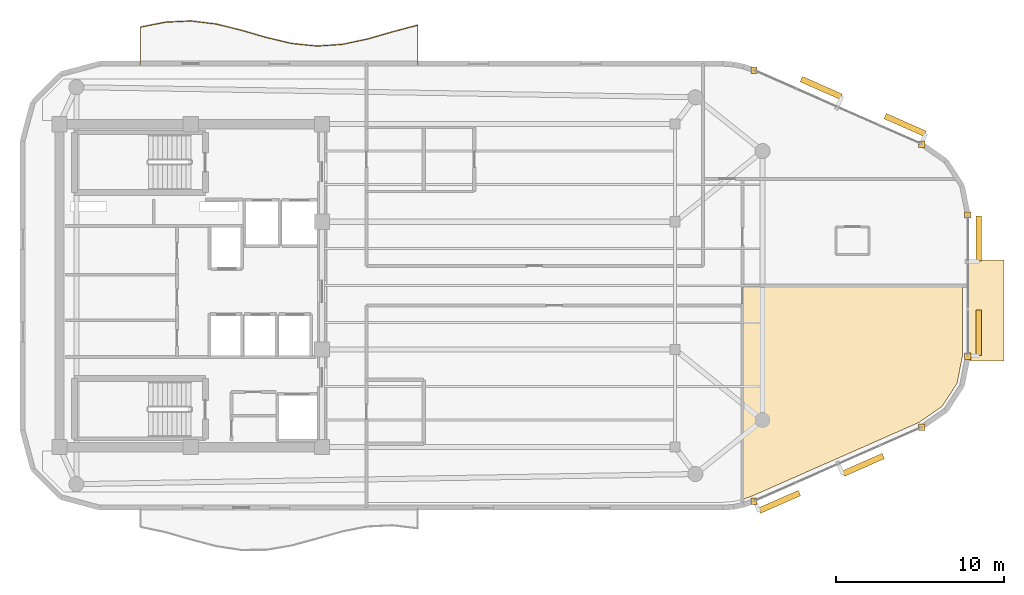
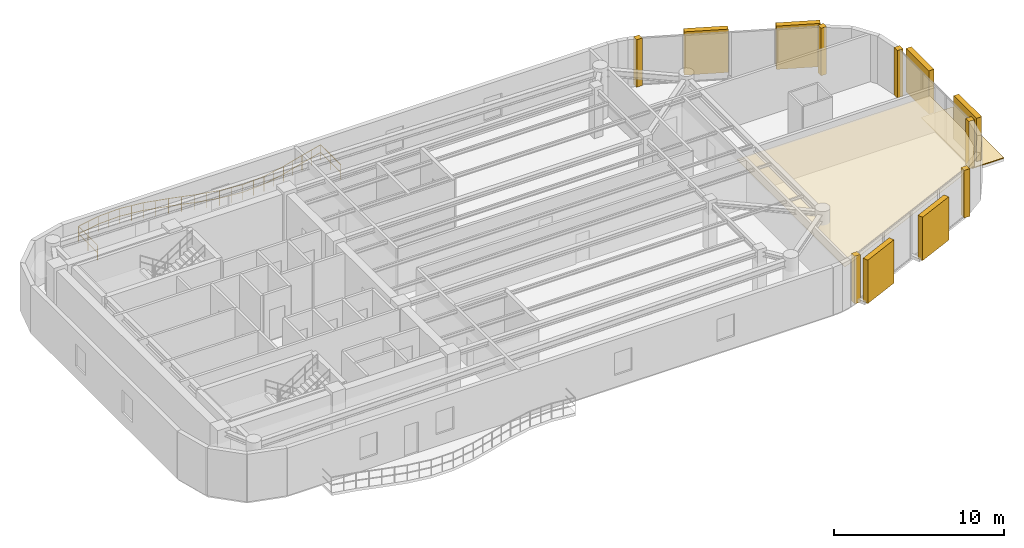
# One storey, part 12 of 12: 8 coverings, 6 shading devices, 1 railing.
"""IFC4 building model written with IfcOpenShell, lengths in metres."""

from ifc_helpers import new_model, si_unit, direction, frame, origin, origin_2d, place, context, subcontext, project, spatial, polyline, rectangle, circle, outline, extrude, material, layer, layer_set, type_object, element, save


model = new_model("IFC4")

# Units and contexts
model_context = context("Model", 3, precision=1e-05, world=origin(), true_north=direction((0.0, 1.0)))
body_context = subcontext(model_context, "Body", "Model", "MODEL_VIEW")
ifc_project = project(units=[si_unit("LENGTHUNIT", "METRE"), si_unit("AREAUNIT", "SQUARE_METRE"), si_unit("VOLUMEUNIT", "CUBIC_METRE"), si_unit("PLANEANGLEUNIT", "RADIAN"), si_unit("MASSUNIT", "GRAM", prefix="KILO")], contexts=[model_context])

# Site, building, storey
site_placement = place(None, origin())
site = spatial("IfcSite", under=ifc_project, at=site_placement, CompositionType="ELEMENT")
building_placement = place(site_placement, origin())
building = spatial("IfcBuilding", under=site, at=building_placement, Name="An Khanh Terracotta Commons", CompositionType="ELEMENT")
storey_placement = place(building_placement, frame((0.0, 0.0, 291.64990234375)))
storey = spatial("IfcBuildingStorey", under=building, at=storey_placement, Name="L76", CompositionType="ELEMENT", Elevation=291.64990234375)

# Coverings
ifc_material_1 = material(Name="Perforated Mineral-Fibre Acoustic Tile")
ifc_layer_1 = layer(ifc_material_1, 0.02001953125, Name="Perforated Mineral-Fibre Acoustic Tile")
ifc_layer_set_1 = layer_set([ifc_layer_1], Name="Perforated Mineral-Fibre Acoustic Tile")
covering_type_1 = type_object("IfcCoveringType", Name="CEIL-ACOUSTIC-18", PredefinedType="CEILING", material=ifc_layer_set_1)
covering_1_placement = place(storey_placement, frame((0.0, 0.0, 2.650146484375)))
element("IfcCovering", 1, at=covering_1_placement, inside=storey, type_object=covering_type_1, Name="L76 Academic Seminar Room Ceiling", PredefinedType="CEILING", context=body_context, shape_type="SweptSolid", body=[
    extrude(outline(polyline([(75.280029296875, 19.8291015625), (74.9609375, 18.19189453125), (74.068115234375, 16.822021484375), (72.699951171875, 15.8701171875), (62.76806640625, 11.488037109375), (62.199951171875, 11.283935546875), (62.199951171875, 11.282958984375), (62.199951171875, 22.820068359375), (62.199951171875, 24.0), (75.280029296875, 24.0), (75.280029296875, 19.8291015625)])), origin(), (0.0, 0.0, 1.0), 0.02001953125),
])
ifc_material_2 = material(Name="Fired Terracotta Rainscreen Cladding", Category="masonry")
ifc_layer_2 = layer(ifc_material_2, 0.080078125, Name="Fired Terracotta Rainscreen Cladding")
ifc_layer_set_2 = layer_set([ifc_layer_2], Name="Fired Terracotta Rainscreen Cladding")
covering_type_2 = type_object("IfcCoveringType", Name="COV-JAMB-TERRA", PredefinedType="CLADDING", material=ifc_layer_set_2)
for number, where, z_axis, x_axis, name in (
    (2, (62.886962890625, 11.19091796875, 0.0), (0.0, 0.0, 1.0), (1.0, 0.0, 0.0), "L76 CW-03 Curtain-Wall Jamb Closure JA"),
    (3, (72.85693359375, 15.590087890625, 0.0), (0.0, 0.0, 1.0), (1.0, 0.0, 0.0), "L76 CW-03 Curtain-Wall Jamb Closure JB"),
    (4, (75.60009765625, 19.798095703125, 0.0), (0.0, 0.0, 1.0), (1.0, 0.0, 0.0), "L76 CW-03 Curtain-Wall Jamb Closure JA"),
    (5, (75.60009765625, 28.201904296875, 0.0), (0.0, 0.0, 1.0), (1.0, 0.0, 0.0), "L76 CW-03 Curtain-Wall Jamb Closure JB"),
    (6, (72.85693359375, 32.409912109375, 0.0), (0.0, 0.0, 1.0), (1.0, 0.0, 0.0), "L76 CW-03 Curtain-Wall Jamb Closure JA"),
    (7, (62.886962890625, 36.80908203125, 0.0), (0.0, 0.0, 1.0), (1.0, 0.0, 0.0), "L76 CW-03 Curtain-Wall Jamb Closure JB"),
):
    element("IfcCovering", number, at=place(storey_placement, frame(where, z_axis=z_axis, x_axis=x_axis)), inside=storey, type_object=covering_type_2, Name=name, PredefinedType="CLADDING", context=body_context, shape_type="SweptSolid", body=[
        extrude(rectangle(XDim=0.3798828125, YDim=0.3798828125, at=origin_2d()), origin(), (0.0, 0.0, 1.0), 3.409912109375),
    ])
ifc_material_3 = material(Name="Planted Garden Waterproofing Membrane")
ifc_layer_3 = layer(ifc_material_3, 0.080078125, Name="Planted Garden Waterproofing Membrane")
ifc_layer_set_3 = layer_set([ifc_layer_3], Name="Planted Garden Waterproofing Membrane")
covering_type_3 = type_object("IfcCoveringType", Name="COV-ROOFING-GREEN", PredefinedType="ROOFING", material=ifc_layer_set_3)
covering_2_placement = place(storey_placement, origin())
element("IfcCovering", 8, at=covering_2_placement, inside=storey, type_object=covering_type_3, Name="L76 Shifted Box Roof Waterproofing (L75)", PredefinedType="ROOFING", context=body_context, shape_type="SweptSolid", body=[
    extrude(outline(polyline([(75.60009765625, 19.530029296875), (77.75, 19.530029296875), (77.75, 25.530029296875), (75.60009765625, 25.530029296875), (75.60009765625, 19.530029296875)])), origin(), (0.0, 0.0, 1.0), 0.06005859375),
])

# Railing
ifc_material_4 = material(Name="Brushed Stainless Steel 316", Category="steel")
railing_type = type_object("IfcRailingType", Name="RAIL-BALUSTRADE-1100", PredefinedType="BALUSTRADE", material=ifc_material_4)
railing_placement = place(storey_placement, frame((42.89990234375, 37.139892578125, 0.0)))
element("IfcRailing", 9, at=railing_placement, inside=storey, type_object=railing_type, Name="L76 N Wave Balcony Guard Balustrade", PredefinedType="BALUSTRADE", context=body_context, shape_type="SweptSolid", body=[
    extrude(circle(Radius=0.02392578125, at=origin_2d()), frame((0.0, 0.0, 1.076171875), z_axis=(0.0, 1.0, 0.0), x_axis=(-1.0, 0.0, 0.0)), (0.0, 0.0, 1.0), 2.34521484375),
    extrude(circle(Radius=0.02392578125, at=origin_2d()), frame((0.0, 0.0, 0.52587890625), z_axis=(0.0, 1.0, 0.0), x_axis=(-1.0, 0.0, 0.0)), (0.0, 0.0, 1.0), 2.34521484375),
    extrude(circle(Radius=0.02392578125, at=origin_2d()), frame((0.0, 2.34521484375, 1.076171875), z_axis=(-0.966680039045, -0.255987699142, 0.0), x_axis=(0.255987699142, -0.966680039045, 0.0)), (0.0, 0.0, 1.0), 1.5517578125),
    extrude(circle(Radius=0.02392578125, at=origin_2d()), frame((0.0, 2.34521484375, 0.52587890625), z_axis=(-0.966680039045, -0.255987699142, 0.0), x_axis=(0.255987699142, -0.966680039045, 0.0)), (0.0, 0.0, 1.0), 1.5517578125),
    extrude(circle(Radius=0.02392578125, at=origin_2d()), frame((-1.5, 1.947998046875, 1.076171875), z_axis=(-0.961293347262, -0.275526950607, 0.0), x_axis=(0.275526950607, -0.961293347262, 0.0)), (0.0, 0.0, 1.0), 1.560302734375),
    extrude(circle(Radius=0.02392578125, at=origin_2d()), frame((-1.5, 1.947998046875, 0.52587890625), z_axis=(-0.961293347262, -0.275526950607, 0.0), x_axis=(0.275526950607, -0.961293347262, 0.0)), (0.0, 0.0, 1.0), 1.560302734375),
    extrude(circle(Radius=0.02392578125, at=origin_2d()), frame((-3.0, 1.51806640625, 1.076171875), z_axis=(-0.978275241205, -0.207310280607, 0.0), x_axis=(0.207310280607, -0.978275241205, 0.0)), (0.0, 0.0, 1.0), 1.533203125),
    extrude(circle(Radius=0.02392578125, at=origin_2d()), frame((-3.0, 1.51806640625, 0.52587890625), z_axis=(-0.978275241205, -0.207310280607, 0.0), x_axis=(0.207310280607, -0.978275241205, 0.0)), (0.0, 0.0, 1.0), 1.533203125),
    extrude(circle(Radius=0.02392578125, at=origin_2d()), frame((-4.5, 1.2001953125, 1.076171875), z_axis=(-0.997866326321, -0.065290081898, 0.0), x_axis=(0.065290081898, -0.997866326321, 0.0)), (0.0, 0.0, 1.0), 1.503173828125),
    extrude(circle(Radius=0.02392578125, at=origin_2d()), frame((-4.5, 1.2001953125, 0.52587890625), z_axis=(-0.997866326321, -0.065290081898, 0.0), x_axis=(0.065290081898, -0.997866326321, 0.0)), (0.0, 0.0, 1.0), 1.503173828125),
    extrude(circle(Radius=0.02392578125, at=origin_2d()), frame((-6.0, 1.10205078125, 1.076171875), z_axis=(-0.994833141332, 0.101523499286, 0.0), x_axis=(-0.101523499286, -0.994833141332, 0.0)), (0.0, 0.0, 1.0), 1.5078125),
    extrude(circle(Radius=0.02392578125, at=origin_2d()), frame((-6.0, 1.10205078125, 0.52587890625), z_axis=(-0.994833141332, 0.101523499286, 0.0), x_axis=(-0.101523499286, -0.994833141332, 0.0)), (0.0, 0.0, 1.0), 1.5078125),
    extrude(circle(Radius=0.02392578125, at=origin_2d()), frame((-7.5, 1.255126953125, 1.076171875), z_axis=(-0.973263214687, 0.229692653206, 0.0), x_axis=(-0.229692653206, -0.973263214687, 0.0)), (0.0, 0.0, 1.0), 1.541259765625),
    extrude(circle(Radius=0.02392578125, at=origin_2d()), frame((-7.5, 1.255126953125, 0.52587890625), z_axis=(-0.973263214687, 0.229692653206, 0.0), x_axis=(-0.229692653206, -0.973263214687, 0.0)), (0.0, 0.0, 1.0), 1.541259765625),
    extrude(circle(Radius=0.02392578125, at=origin_2d()), frame((-9.0, 1.609130859375, 1.076171875), z_axis=(-0.960419102414, 0.278559056071, 0.0), x_axis=(-0.278559056071, -0.960419102414, 0.0)), (0.0, 0.0, 1.0), 1.561767578125),
    extrude(circle(Radius=0.02392578125, at=origin_2d()), frame((-9.0, 1.609130859375, 0.52587890625), z_axis=(-0.960419102414, 0.278559056071, 0.0), x_axis=(-0.278559056071, -0.960419102414, 0.0)), (0.0, 0.0, 1.0), 1.561767578125),
    extrude(circle(Radius=0.02392578125, at=origin_2d()), frame((-10.5, 2.044189453125, 1.076171875), z_axis=(-0.970918311966, 0.239411009542, 0.0), x_axis=(-0.239411009542, -0.970918311966, 0.0)), (0.0, 0.0, 1.0), 1.544921875),
    extrude(circle(Radius=0.02392578125, at=origin_2d()), frame((-10.5, 2.044189453125, 0.52587890625), z_axis=(-0.970918311966, 0.239411009542, 0.0), x_axis=(-0.239411009542, -0.970918311966, 0.0)), (0.0, 0.0, 1.0), 1.544921875),
    extrude(circle(Radius=0.02392578125, at=origin_2d()), frame((-12.0, 2.4140625, 1.076171875), z_axis=(-0.99288219023, 0.11910061429, 0.0), x_axis=(-0.11910061429, -0.99288219023, 0.0)), (0.0, 0.0, 1.0), 1.5107421875),
    extrude(circle(Radius=0.02392578125, at=origin_2d()), frame((-12.0, 2.4140625, 0.52587890625), z_axis=(-0.99288219023, 0.11910061429, 0.0), x_axis=(-0.11910061429, -0.99288219023, 0.0)), (0.0, 0.0, 1.0), 1.5107421875),
    extrude(circle(Radius=0.02392578125, at=origin_2d()), frame((-13.5, 2.593994140625, 1.076171875), z_axis=(-0.998887913276, -0.047148029761, 0.0), x_axis=(0.047148029761, -0.998887913276, 0.0)), (0.0, 0.0, 1.0), 1.501708984375),
    extrude(circle(Radius=0.02392578125, at=origin_2d()), frame((-13.5, 2.593994140625, 0.52587890625), z_axis=(-0.998887913276, -0.047148029761, 0.0), x_axis=(0.047148029761, -0.998887913276, 0.0)), (0.0, 0.0, 1.0), 1.501708984375),
    extrude(circle(Radius=0.02392578125, at=origin_2d()), frame((-15.0, 2.523193359375, 1.076171875), z_axis=(-0.980819402607, -0.194918699639, 0.0), x_axis=(0.194918699639, -0.980819402607, 0.0)), (0.0, 0.0, 1.0), 1.529296875),
    extrude(circle(Radius=0.02392578125, at=origin_2d()), frame((-15.0, 2.523193359375, 0.52587890625), z_axis=(-0.980819402607, -0.194918699639, 0.0), x_axis=(0.194918699639, -0.980819402607, 0.0)), (0.0, 0.0, 1.0), 1.529296875),
    extrude(circle(Radius=0.02392578125, at=origin_2d()), frame((-16.5, 2.22509765625, 1.076171875), z_axis=(0.0, -1.0, 0.0), x_axis=(1.0, 0.0, 0.0)), (0.0, 0.0, 1.0), 2.22509765625),
    extrude(circle(Radius=0.02392578125, at=origin_2d()), frame((-16.5, 2.22509765625, 0.52587890625), z_axis=(0.0, -1.0, 0.0), x_axis=(1.0, 0.0, 0.0)), (0.0, 0.0, 1.0), 2.22509765625),
    extrude(circle(Radius=0.02099609375, at=origin_2d()), origin(), (0.0, 0.0, 1.0), 1.052001953125),
    extrude(circle(Radius=0.02099609375, at=origin_2d()), frame((0.0, 1.172607421875, 0.0)), (0.0, 0.0, 1.0), 1.052001953125),
    extrude(circle(Radius=0.02099609375, at=origin_2d()), frame((0.0, 2.34521484375, 0.0)), (0.0, 0.0, 1.0), 1.052001953125),
    extrude(circle(Radius=0.02099609375, at=origin_2d()), frame((-0.75, 2.146484375, 0.0)), (0.0, 0.0, 1.0), 1.052001953125),
    extrude(circle(Radius=0.02099609375, at=origin_2d()), frame((-1.5, 1.947998046875, 0.0)), (0.0, 0.0, 1.0), 1.052001953125),
    extrude(circle(Radius=0.02099609375, at=origin_2d()), frame((-2.25, 1.73291015625, 0.0)), (0.0, 0.0, 1.0), 1.052001953125),
    extrude(circle(Radius=0.02099609375, at=origin_2d()), frame((-3.0, 1.51806640625, 0.0)), (0.0, 0.0, 1.0), 1.052001953125),
    extrude(circle(Radius=0.02099609375, at=origin_2d()), frame((-3.75, 1.359130859375, 0.0)), (0.0, 0.0, 1.0), 1.052001953125),
    extrude(circle(Radius=0.02099609375, at=origin_2d()), frame((-4.5, 1.2001953125, 0.0)), (0.0, 0.0, 1.0), 1.052001953125),
    extrude(circle(Radius=0.02099609375, at=origin_2d()), frame((-5.25, 1.151123046875, 0.0)), (0.0, 0.0, 1.0), 1.052001953125),
    extrude(circle(Radius=0.02099609375, at=origin_2d()), frame((-6.0, 1.10205078125, 0.0)), (0.0, 0.0, 1.0), 1.052001953125),
    extrude(circle(Radius=0.02099609375, at=origin_2d()), frame((-6.75, 1.1787109375, 0.0)), (0.0, 0.0, 1.0), 1.052001953125),
    extrude(circle(Radius=0.02099609375, at=origin_2d()), frame((-7.5, 1.255126953125, 0.0)), (0.0, 0.0, 1.0), 1.052001953125),
    extrude(circle(Radius=0.02099609375, at=origin_2d()), frame((-8.25, 1.43212890625, 0.0)), (0.0, 0.0, 1.0), 1.052001953125),
    extrude(circle(Radius=0.02099609375, at=origin_2d()), frame((-9.0, 1.609130859375, 0.0)), (0.0, 0.0, 1.0), 1.052001953125),
    extrude(circle(Radius=0.02099609375, at=origin_2d()), frame((-9.75, 1.82666015625, 0.0)), (0.0, 0.0, 1.0), 1.052001953125),
    extrude(circle(Radius=0.02099609375, at=origin_2d()), frame((-10.5, 2.044189453125, 0.0)), (0.0, 0.0, 1.0), 1.052001953125),
    extrude(circle(Radius=0.02099609375, at=origin_2d()), frame((-11.25, 2.22900390625, 0.0)), (0.0, 0.0, 1.0), 1.052001953125),
    extrude(circle(Radius=0.02099609375, at=origin_2d()), frame((-12.0, 2.4140625, 0.0)), (0.0, 0.0, 1.0), 1.052001953125),
    extrude(circle(Radius=0.02099609375, at=origin_2d()), frame((-12.75, 2.50390625, 0.0)), (0.0, 0.0, 1.0), 1.052001953125),
    extrude(circle(Radius=0.02099609375, at=origin_2d()), frame((-13.5, 2.593994140625, 0.0)), (0.0, 0.0, 1.0), 1.052001953125),
    extrude(circle(Radius=0.02099609375, at=origin_2d()), frame((-14.25, 2.55859375, 0.0)), (0.0, 0.0, 1.0), 1.052001953125),
    extrude(circle(Radius=0.02099609375, at=origin_2d()), frame((-15.0, 2.523193359375, 0.0)), (0.0, 0.0, 1.0), 1.052001953125),
    extrude(circle(Radius=0.02099609375, at=origin_2d()), frame((-15.75, 2.3740234375, 0.0)), (0.0, 0.0, 1.0), 1.052001953125),
    extrude(circle(Radius=0.02099609375, at=origin_2d()), frame((-16.5, 2.22509765625, 0.0)), (0.0, 0.0, 1.0), 1.052001953125),
    extrude(circle(Radius=0.02099609375, at=origin_2d()), frame((-16.5, 1.112548828125, 0.0)), (0.0, 0.0, 1.0), 1.052001953125),
    extrude(circle(Radius=0.02099609375, at=origin_2d()), frame((-16.5, 0.0, 0.0)), (0.0, 0.0, 1.0), 1.052001953125),
])

# Shading devices
ifc_material_5 = material(Name="Extruded Fired Terracotta", Category="masonry")
shading_device_type = type_object("IfcShadingDeviceType", Name="Terracotta Baguette Screen Assembly", PredefinedType="USERDEFINED", material=ifc_material_5)
for number, where, z_axis, x_axis, name in (
    (10, (64.39599609375, 11.14599609375, 0.14990234375), (0.0, 0.0, 1.0), (0.914901853201, 0.403676354285, 0.0), "L76 Terracotta Baguette Screen 1"),
    (11, (69.381103515625, 13.345947265625, 0.14990234375), (0.0, 0.0, 1.0), (0.914901853201, 0.403676354285, 0.0), "L76 Terracotta Baguette Screen 3"),
):
    element("IfcShadingDevice", number, at=place(storey_placement, frame(where, z_axis=z_axis, x_axis=x_axis)), inside=storey, type_object=shading_device_type, Name=name, ObjectType="BAGUETTE", PredefinedType="USERDEFINED", context=body_context, shape_type="SweptSolid", body=[
        extrude(rectangle(XDim=2.60400390625, YDim=0.35009765625, at=origin_2d()), origin(), (0.0, 0.0, 1.0), 3.110107421875),
    ])
for number, where, z_axis, x_axis, name in (
    (12, (76.25, 21.198974609375, 0.14990234375), (0.0, 0.0, 1.0), (0.0, 1.0, 0.0), "L76 Terracotta Baguette Screen 1"),
    (13, (76.25, 26.801025390625, 0.14990234375), (0.0, 0.0, 1.0), (0.0, 1.0, 0.0), "L76 Terracotta Baguette Screen 3"),
):
    element("IfcShadingDevice", number, at=place(storey_placement, frame(where, z_axis=z_axis, x_axis=x_axis)), inside=storey, type_object=shading_device_type, Name=name, ObjectType="BAGUETTE", PredefinedType="USERDEFINED", context=body_context, shape_type="SweptSolid", body=[
        extrude(rectangle(XDim=2.680908203125, YDim=0.35009765625, at=origin_2d()), origin(), (0.0, 0.0, 1.0), 3.110107421875),
    ])
for number, where, z_axis, x_axis, name in (
    (14, (71.873046875, 33.554931640625, 0.14990234375), (0.0, 0.0, 1.0), (-0.914901853201, 0.403676354285, 0.0), "L76 Terracotta Baguette Screen 1"),
    (15, (66.887939453125, 35.75390625, 0.14990234375), (0.0, 0.0, 1.0), (-0.914901853201, 0.403676354285, 0.0), "L76 Terracotta Baguette Screen 3"),
):
    element("IfcShadingDevice", number, at=place(storey_placement, frame(where, z_axis=z_axis, x_axis=x_axis)), inside=storey, type_object=shading_device_type, Name=name, ObjectType="BAGUETTE", PredefinedType="USERDEFINED", context=body_context, shape_type="SweptSolid", body=[
        extrude(rectangle(XDim=2.60400390625, YDim=0.35009765625, at=origin_2d()), origin(), (0.0, 0.0, 1.0), 3.110107421875),
    ])

save(model, "model.ifc")
